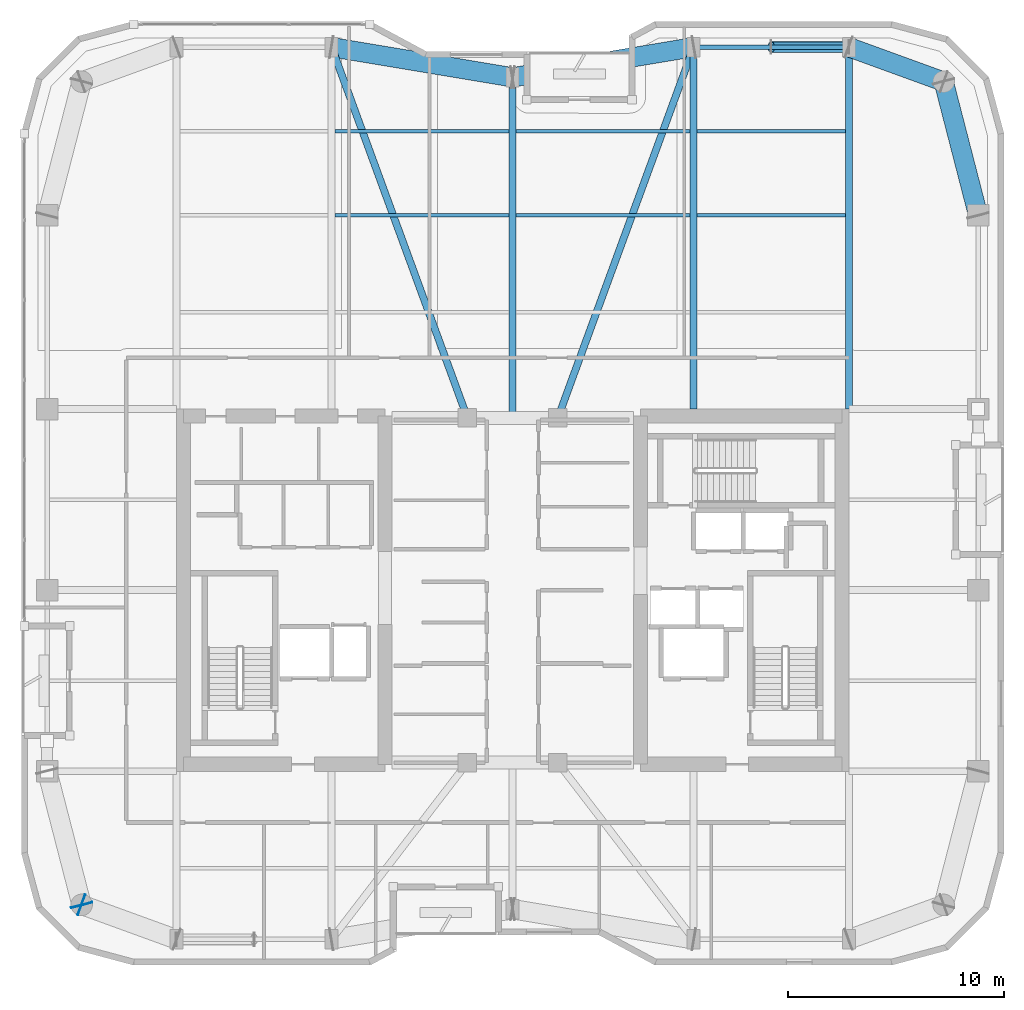
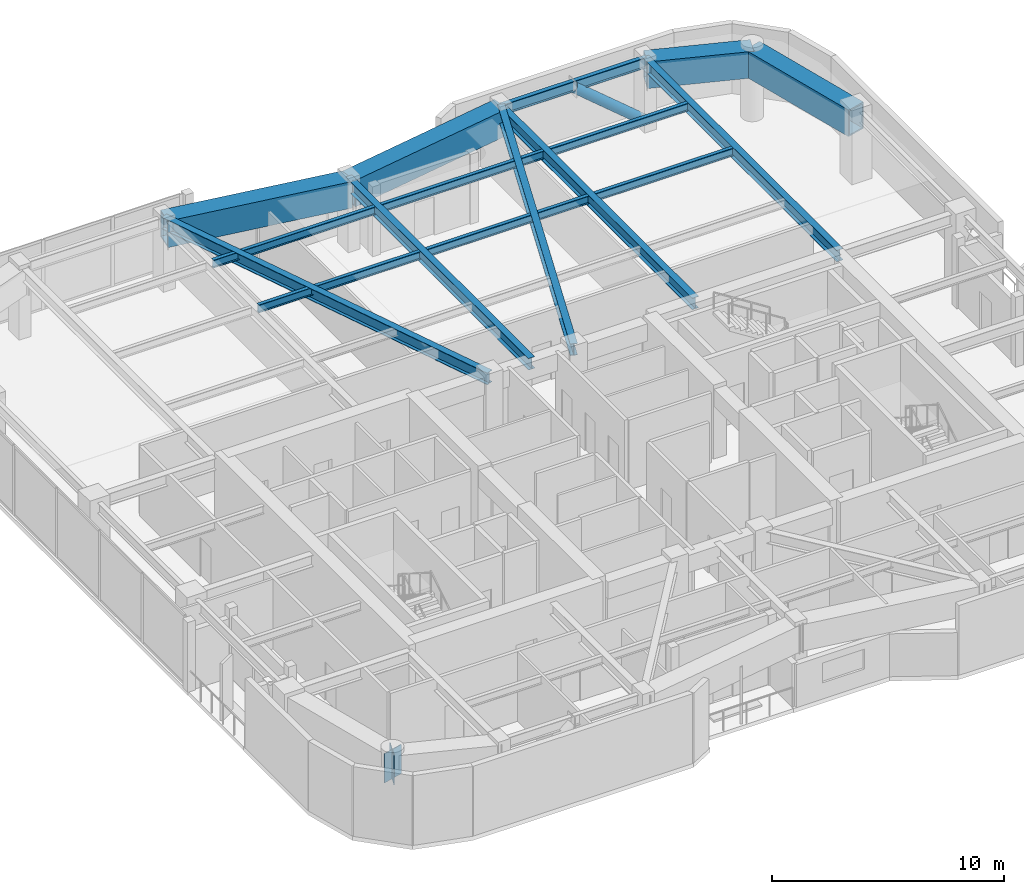
# One storey, part 11 of 21: 16 beams, 2 plates, 1 member.
"""IFC4 building model written with IfcOpenShell, lengths in metres."""

from ifc_helpers import new_model, si_unit, direction, frame, origin, origin_2d, place, context, subcontext, project, spatial, rectangle, hollow_rectangle, hollow_circle, i_section, extrude, material, layer, layer_set, material_profile, profile_set, type_object, element, save


model = new_model("IFC4")

# Units and contexts
model_context = context("Model", 3, precision=1e-05, world=origin(), true_north=direction((0.0, 1.0)))
body_context = subcontext(model_context, "Body", "Model", "MODEL_VIEW")
ifc_project = project(units=[si_unit("LENGTHUNIT", "METRE"), si_unit("AREAUNIT", "SQUARE_METRE"), si_unit("VOLUMEUNIT", "CUBIC_METRE"), si_unit("PLANEANGLEUNIT", "RADIAN"), si_unit("MASSUNIT", "GRAM", prefix="KILO")], contexts=[model_context])

# Site, building, storey
site_placement = place(None, origin())
site = spatial("IfcSite", under=ifc_project, at=site_placement, CompositionType="ELEMENT")
building_placement = place(site_placement, origin())
building = spatial("IfcBuilding", under=site, at=building_placement, Name="Kiyonajd Concourse Tower", CompositionType="ELEMENT")
storey_placement = place(building_placement, frame((0.0, 0.0, 247.199951171875)))
storey = spatial("IfcBuildingStorey", under=building, at=storey_placement, Name="L62", CompositionType="ELEMENT", Elevation=247.199951171875)

# Beams
ifc_material_1 = material(Name="Steel ASTM A992 Grade 50", Category="steel")
ifc_material_profile_1 = material_profile(ifc_material_1, i_section(OverallWidth=0.180908203125, OverallDepth=0.4169921875, WebThickness=0.010986328125, FlangeThickness=0.018310546875, at=origin_2d()), Name="W410X85")
ifc_profile_set_1 = profile_set([ifc_material_profile_1], Name="Steel ASTM A992 Grade 50")
beam_type_1 = type_object("IfcBeamType", Name="BM-JST-410", PredefinedType="JOIST", material=ifc_profile_set_1)
for number, where, z_axis, x_axis, name in (
    (1, (39.761962890625, 53.39990234375, 3.471435546875), (1.0, 0.0, 0.0), (0.0, 1.0, 0.0), "L62 Secondary Floor Joist"),
    (2, (48.162109375, 53.39990234375, 3.471435546875), (1.0, 0.0, 0.0), (0.0, 1.0, 0.0), "L62 Secondary Floor Joist"),
):
    element("IfcBeam", number, at=place(storey_placement, frame(where, z_axis=z_axis, x_axis=x_axis)), inside=storey, type_object=beam_type_1, Name=name, PredefinedType="JOIST", context=body_context, shape_type="SweptSolid", body=[
        extrude(i_section(OverallWidth=0.180908203125, OverallDepth=0.4169921875, WebThickness=0.010986328125, FlangeThickness=0.018310546875, at=origin_2d()), origin(), (0.0, 0.0, 1.0), 8.075927734375),
    ])
beam_1_placement = place(storey_placement, frame((56.56201171875, 53.39990234375, 3.471435546875), z_axis=(1.0, 0.0, 0.0), x_axis=(0.0, 1.0, 0.0)))
element("IfcBeam", 3, at=beam_1_placement, inside=storey, type_object=beam_type_1, Name="L62 Secondary Floor Joist", PredefinedType="JOIST", context=body_context, shape_type="SweptSolid", body=[
    extrude(i_section(OverallWidth=0.180908203125, OverallDepth=0.4169921875, WebThickness=0.010986328125, FlangeThickness=0.018310546875, at=origin_2d()), origin(), (0.0, 0.0, 1.0), 6.8759765625),
])
for number, where, z_axis, x_axis, name in (
    (4, (39.761962890625, 57.300048828125, 3.471435546875), (1.0, 0.0, 0.0), (0.0, 1.0, 0.0), "L62 Secondary Floor Joist"),
    (5, (48.162109375, 57.300048828125, 3.471435546875), (1.0, 0.0, 0.0), (0.0, 1.0, 0.0), "L62 Secondary Floor Joist"),
):
    element("IfcBeam", number, at=place(storey_placement, frame(where, z_axis=z_axis, x_axis=x_axis)), inside=storey, type_object=beam_type_1, Name=name, PredefinedType="JOIST", context=body_context, shape_type="SweptSolid", body=[
        extrude(i_section(OverallWidth=0.180908203125, OverallDepth=0.4169921875, WebThickness=0.010986328125, FlangeThickness=0.018310546875, at=origin_2d()), origin(), (0.0, 0.0, 1.0), 8.075927734375),
    ])
beam_2_placement = place(storey_placement, frame((56.56201171875, 57.300048828125, 3.471435546875), z_axis=(1.0, 0.0, 0.0), x_axis=(0.0, 1.0, 0.0)))
element("IfcBeam", 6, at=beam_2_placement, inside=storey, type_object=beam_type_1, Name="L62 Secondary Floor Joist", PredefinedType="JOIST", context=body_context, shape_type="SweptSolid", body=[
    extrude(i_section(OverallWidth=0.180908203125, OverallDepth=0.4169921875, WebThickness=0.010986328125, FlangeThickness=0.018310546875, at=origin_2d()), origin(), (0.0, 0.0, 1.0), 6.8759765625),
])
ifc_material_profile_2 = material_profile(ifc_material_1, i_section(OverallWidth=0.214111328125, OverallDepth=0.549072265625, WebThickness=0.0146484375, FlangeThickness=0.023681640625, at=origin_2d()), Name="W530X138")
ifc_profile_set_2 = profile_set([ifc_material_profile_2], Name="Steel ASTM A992 Grade 50")
beam_type_2 = type_object("IfcBeamType", Name="BM-SPAN-530A", PredefinedType="SPANDREL", material=ifc_profile_set_2)
beam_3_placement = place(storey_placement, frame((63.60009765625, 61.199951171875, 3.405517578125), z_axis=(-1.0, 0.0, 0.0), x_axis=(0.0, -1.0, 0.0)))
element("IfcBeam", 7, at=beam_3_placement, inside=storey, type_object=beam_type_2, Name="L62 Perimeter Bundled Tube Spandrel", PredefinedType="SPANDREL", context=body_context, shape_type="SweptSolid", body=[
    extrude(i_section(OverallWidth=0.214111328125, OverallDepth=0.549072265625, WebThickness=0.0146484375, FlangeThickness=0.023681640625, at=origin_2d()), origin(), (0.0, 0.0, 1.0), 7.2001953125),
])
ifc_material_profile_3 = material_profile(ifc_material_1, i_section(OverallWidth=0.326904296875, OverallDepth=0.6220703125, WebThickness=0.015380859375, FlangeThickness=0.0244140625, at=origin_2d()), Name="W610X195")
ifc_profile_set_3 = profile_set([ifc_material_profile_3], Name="Steel ASTM A992 Grade 50")
beam_type_3 = type_object("IfcBeamType", Name="BM-TWR-610A", PredefinedType="BEAM", material=ifc_profile_set_3)
for number, where, z_axis, x_axis, name in (
    (8, (39.60009765625, 61.199951171875, 3.369140625), (0.343925269715, -0.938997022813, 0.0), (0.938997022813, 0.343925269715, 0.0), "L62 Core Tie Girder"),
    (9, (50.10009765625, 44.0, 3.369140625), (0.343925269715, 0.938997022813, 0.0), (-0.938997022813, 0.343925269715, 0.0), "L62 Core Tie Girder"),
):
    element("IfcBeam", number, at=place(storey_placement, frame(where, z_axis=z_axis, x_axis=x_axis)), inside=storey, type_object=beam_type_3, Name=name, PredefinedType="BEAM", context=body_context, shape_type="SweptSolid", body=[
        extrude(i_section(OverallWidth=0.326904296875, OverallDepth=0.6220703125, WebThickness=0.015380859375, FlangeThickness=0.0244140625, at=origin_2d()), origin(), (0.0, 0.0, 1.0), 18.3173828125),
    ])
ifc_material_profile_4 = material_profile(ifc_material_1, i_section(OverallWidth=0.323974609375, OverallDepth=0.611083984375, WebThickness=0.0126953125, FlangeThickness=0.01904296875, at=origin_2d()), Name="W610X155")
ifc_profile_set_4 = profile_set([ifc_material_profile_4], Name="Steel ASTM A992 Grade 50")
beam_type_4 = type_object("IfcBeamType", Name="BM-TWR-610B", PredefinedType="BEAM", material=ifc_profile_set_4)
for number, where, z_axis, x_axis, name in (
    (10, (56.39990234375, 44.39990234375, 3.37451171875), (0.0, 1.0, 0.0), (-1.0, 0.0, 0.0), "L62 North Lease Girder"),
    (11, (63.60009765625, 44.39990234375, 3.37451171875), (0.0, 1.0, 0.0), (-1.0, 0.0, 0.0), "L62 North Lease Girder"),
):
    element("IfcBeam", number, at=place(storey_placement, frame(where, z_axis=z_axis, x_axis=x_axis)), inside=storey, type_object=beam_type_4, Name=name, PredefinedType="BEAM", context=body_context, shape_type="SweptSolid", body=[
        extrude(i_section(OverallWidth=0.323974609375, OverallDepth=0.611083984375, WebThickness=0.0126953125, FlangeThickness=0.01904296875, at=origin_2d()), origin(), (0.0, 0.0, 1.0), 16.800048828125),
    ])
beam_4_placement = place(storey_placement, frame((48.0, 44.0, 3.37451171875), z_axis=(0.0, 1.0, 0.0), x_axis=(-1.0, 0.0, 0.0)))
element("IfcBeam", 12, at=beam_4_placement, inside=storey, type_object=beam_type_4, Name="L62 North Ribbon Girder", PredefinedType="BEAM", context=body_context, shape_type="SweptSolid", body=[
    extrude(i_section(OverallWidth=0.323974609375, OverallDepth=0.611083984375, WebThickness=0.0126953125, FlangeThickness=0.01904296875, at=origin_2d()), origin(), (0.0, 0.0, 1.0), 15.800048828125),
])
ifc_material_2 = material(Name="Steel ASTM A572 Grade 50", Category="steel")
ifc_material_profile_5 = material_profile(ifc_material_2, hollow_rectangle(XDim=0.89990234375, YDim=1.39990234375, WallThickness=0.070068359375, at=origin_2d()), Name="BOX-1400x900x70")
ifc_profile_set_5 = profile_set([ifc_material_profile_5], Name="Steel ASTM A572 Grade 50")
beam_type_5 = type_object("IfcBeamType", Name="BM-XFER-1400", PredefinedType="BEAM", material=ifc_profile_set_5)
beam_5_placement = place(storey_placement, frame((69.60009765625, 53.39990234375, 2.97998046875), z_axis=(-0.249884937687, 0.968275538221, 0.0), x_axis=(-0.968275538221, -0.249884937687, 0.0)))
element("IfcBeam", 13, at=beam_5_placement, inside=storey, type_object=beam_type_5, Name="L62 Perimeter Bundled Tube Spandrel", PredefinedType="BEAM", context=body_context, shape_type="SweptSolid", body=[
    extrude(hollow_rectangle(XDim=0.89990234375, YDim=1.39990234375, WallThickness=0.070068359375, at=origin_2d()), origin(), (0.0, 0.0, 1.0), 6.4033203125),
])
beam_6_placement = place(storey_placement, frame((68.0, 59.60009765625, 2.97998046875), z_axis=(-0.939801036019, 0.341722127901, 0.0), x_axis=(-0.341722127901, -0.939801036019, 0.0)))
element("IfcBeam", 14, at=beam_6_placement, inside=storey, type_object=beam_type_5, Name="L62 Perimeter Bundled Tube Spandrel", PredefinedType="BEAM", context=body_context, shape_type="SweptSolid", body=[
    extrude(hollow_rectangle(XDim=0.89990234375, YDim=1.39990234375, WallThickness=0.070068359375, at=origin_2d()), origin(), (0.0, 0.0, 1.0), 4.681640625),
])
for number, where, z_axis, x_axis, name in (
    (15, (56.39990234375, 61.199951171875, 2.97998046875), (-0.986395473479, -0.164389689151, 0.0), (0.164389689151, -0.986395473479, 0.0), "L62 Perimeter Bundled Tube Spandrel"),
    (16, (48.0, 59.800048828125, 2.97998046875), (-0.986395473479, 0.164389689151, 0.0), (-0.164389689151, -0.986395473479, 0.0), "L62 Perimeter Bundled Tube Spandrel"),
):
    element("IfcBeam", number, at=place(storey_placement, frame(where, z_axis=z_axis, x_axis=x_axis)), inside=storey, type_object=beam_type_5, Name=name, PredefinedType="BEAM", context=body_context, shape_type="SweptSolid", body=[
        extrude(hollow_rectangle(XDim=0.89990234375, YDim=1.39990234375, WallThickness=0.070068359375, at=origin_2d()), origin(), (0.0, 0.0, 1.0), 8.515869140625),
    ])

# Member
ifc_material_3 = material(Name="Steel ASTM A500 Grade C", Category="steel")
ifc_material_profile_6 = material_profile(ifc_material_3, hollow_circle(Radius=0.25390625, WallThickness=0.02197265625, at=origin_2d()), Name="CHS-508x22")
ifc_profile_set_6 = profile_set([ifc_material_profile_6], Name="Steel ASTM A500 Grade C")
member_type = type_object("IfcMemberType", Name="MB-PB-MID", PredefinedType="BRACE", material=ifc_profile_set_6)
member_placement = place(storey_placement, frame((63.60009765625, 61.199951171875, 0.300048828125), z_axis=(-0.765082043761, 0.0, 0.643932811957), x_axis=(0.0, -1.0, 0.0)))
element("IfcMember", 17, at=member_placement, inside=storey, type_object=member_type, Name="L62 Upper Zone Hollow Tube Brace PBN", PredefinedType="BRACE", context=body_context, shape_type="SweptSolid", body=[
    extrude(hollow_circle(Radius=0.25390625, WallThickness=0.02197265625, at=origin_2d()), origin(), (0.0, 0.0, 1.0), 4.70556640625),
])

# Plates
ifc_layer = layer(ifc_material_2, 0.031982421875)
ifc_layer_set = layer_set([ifc_layer], Name="Steel ASTM A572 Grade 50")
plate_type = type_object("IfcPlateType", Name="PL-CAP-540", PredefinedType="USERDEFINED", material=ifc_layer_set)
for number, where, z_axis, x_axis, name in (
    (18, (28.002685546875, 21.389404296875, 2.2099609375), (0.0, 0.0, 1.0), (0.249873048837, -0.968278606324, 0.0), "L62 Welded Box Girder End Cap"),
    (19, (27.98974609375, 21.40380859375, 2.2099609375), (0.0, 0.0, 1.0), (-0.939811951086, 0.341692107891, 0.0), "L62 Welded Box Girder End Cap"),
):
    element("IfcPlate", number, at=place(storey_placement, frame(where, z_axis=z_axis, x_axis=x_axis)), inside=storey, type_object=plate_type, Name=name, ObjectType="CAP PLATE", PredefinedType="USERDEFINED", context=body_context, shape_type="SweptSolid", body=[
        extrude(rectangle(XDim=0.035888671875, YDim=1.02001953125, at=origin_2d()), origin(), (0.0, 0.0, 1.0), 1.5400390625),
    ])

save(model, "model.ifc")
